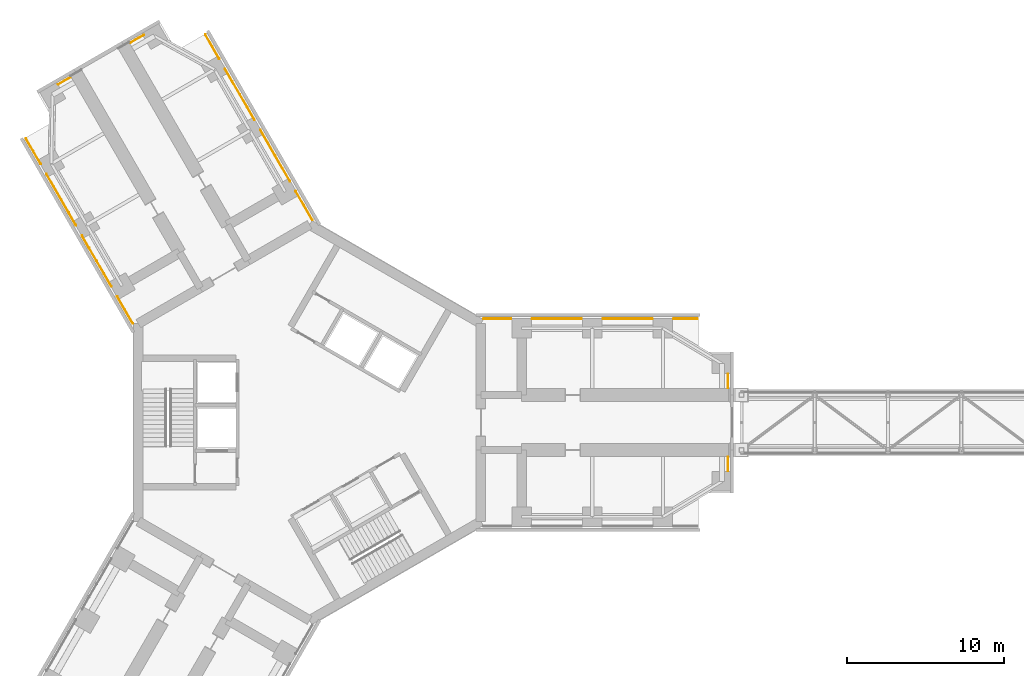
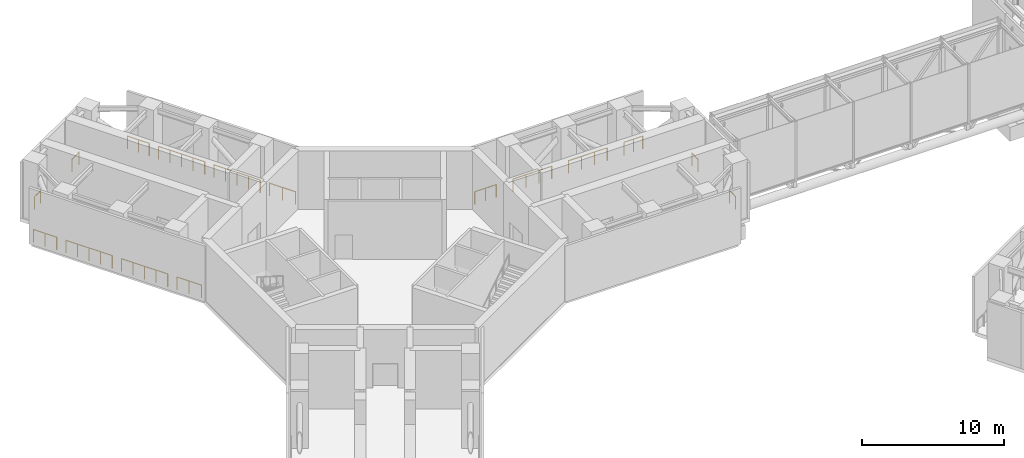
# One storey, part 14 of 15: 16 railings.
"""IFC4 building model written with IfcOpenShell, lengths in metres."""

from ifc_helpers import new_model, si_unit, direction, frame, origin, origin_2d, place, context, subcontext, project, spatial, circle, extrude, material, type_object, element, save


model = new_model("IFC4")

# Units and contexts
model_context = context("Model", 3, precision=1e-05, world=origin(), true_north=direction((0.0, 1.0)))
body_context = subcontext(model_context, "Body", "Model", "MODEL_VIEW")
ifc_project = project(units=[si_unit("LENGTHUNIT", "METRE"), si_unit("AREAUNIT", "SQUARE_METRE"), si_unit("VOLUMEUNIT", "CUBIC_METRE"), si_unit("PLANEANGLEUNIT", "RADIAN"), si_unit("MASSUNIT", "GRAM", prefix="KILO")], contexts=[model_context])

# Site, building, storey
site_placement = place(None, origin())
site = spatial("IfcSite", under=ifc_project, at=site_placement, CompositionType="ELEMENT")
building_placement = place(site_placement, origin())
building = spatial("IfcBuilding", under=site, at=building_placement, Name="Upepo Twin Towers", CompositionType="ELEMENT")
storey_placement = place(building_placement, frame((0.0, 0.0, 165.5)))
storey = spatial("IfcBuildingStorey", under=building, at=storey_placement, Name="L40", CompositionType="ELEMENT", Elevation=165.5)

# Railings
ifc_material = material(Name="Stainless steel and glass", Category="steel")
railing_type = type_object("IfcRailingType", Name="Guard 1100", PredefinedType="GUARDRAIL", material=ifc_material)
railing_1_placement = place(storey_placement, frame((11.085205078125, 6.60009765625, 0.0)))
element("IfcRailing", 1, at=railing_1_placement, inside=storey, type_object=railing_type, Name="T1 L40 open floor guard", PredefinedType="GUARDRAIL", context=body_context, shape_type="SweptSolid", body=[
    extrude(circle(Radius=0.02392578125, at=origin_2d()), frame((0.0, 0.0, 1.076171875), z_axis=(1.0, 0.0, 0.0), x_axis=(0.0, 1.0, 0.0)), (0.0, 0.0, 1.0), 1.73974609375),
    extrude(circle(Radius=0.02099609375, at=origin_2d()), origin(), (0.0, 0.0, 1.0), 1.052001953125),
    extrude(circle(Radius=0.02099609375, at=origin_2d()), frame((0.869873046875, 0.0, 0.0)), (0.0, 0.0, 1.0), 1.052001953125),
    extrude(circle(Radius=0.02099609375, at=origin_2d()), frame((1.73974609375, 0.0, 0.0)), (0.0, 0.0, 1.0), 1.052001953125),
])
for number, where, name in (
    (2, (14.175048828125, 6.60009765625, 0.0), "T1 L40 open floor guard"),
    (3, (18.675048828125, 6.60009765625, 0.0), "T1 L40 open floor guard"),
):
    element("IfcRailing", number, at=place(storey_placement, frame(where)), inside=storey, type_object=railing_type, Name=name, PredefinedType="GUARDRAIL", context=body_context, shape_type="SweptSolid", body=[
        extrude(circle(Radius=0.02392578125, at=origin_2d()), frame((0.0, 0.0, 1.076171875), z_axis=(1.0, 0.0, 0.0), x_axis=(0.0, 1.0, 0.0)), (0.0, 0.0, 1.0), 3.14990234375),
        extrude(circle(Radius=0.02099609375, at=origin_2d()), origin(), (0.0, 0.0, 1.0), 1.052001953125),
        extrude(circle(Radius=0.02099609375, at=origin_2d()), frame((1.050048828125, 0.0, 0.0)), (0.0, 0.0, 1.0), 1.052001953125),
        extrude(circle(Radius=0.02099609375, at=origin_2d()), frame((2.099853515625, 0.0, 0.0)), (0.0, 0.0, 1.0), 1.052001953125),
        extrude(circle(Radius=0.02099609375, at=origin_2d()), frame((3.14990234375, 0.0, 0.0)), (0.0, 0.0, 1.0), 1.052001953125),
    ])
railing_2_placement = place(storey_placement, frame((23.175048828125, 6.60009765625, 0.0)))
element("IfcRailing", 4, at=railing_2_placement, inside=storey, type_object=railing_type, Name="T1 L40 open floor guard", PredefinedType="GUARDRAIL", context=body_context, shape_type="SweptSolid", body=[
    extrude(circle(Radius=0.02392578125, at=origin_2d()), frame((0.0, 0.0, 1.076171875), z_axis=(1.0, 0.0, 0.0), x_axis=(0.0, 1.0, 0.0)), (0.0, 0.0, 1.0), 1.52490234375),
    extrude(circle(Radius=0.02099609375, at=origin_2d()), origin(), (0.0, 0.0, 1.0), 1.052001953125),
    extrude(circle(Radius=0.02099609375, at=origin_2d()), frame((0.762451171875, 0.0, 0.0)), (0.0, 0.0, 1.0), 1.052001953125),
    extrude(circle(Radius=0.02099609375, at=origin_2d()), frame((1.52490234375, 0.0, 0.0)), (0.0, 0.0, 1.0), 1.052001953125),
])
for number, where, name in (
    (5, (26.64990234375, -3.074951171875, 0.0), "T1 L40 open floor guard"),
    (6, (26.64990234375, 2.199951171875, 0.0), "T1 L40 open floor guard"),
):
    element("IfcRailing", number, at=place(storey_placement, frame(where)), inside=storey, type_object=railing_type, Name=name, PredefinedType="GUARDRAIL", context=body_context, shape_type="SweptSolid", body=[
        extrude(circle(Radius=0.02392578125, at=origin_2d()), frame((0.0, 0.0, 1.076171875), z_axis=(0.0, 1.0, 0.0), x_axis=(-1.0, 0.0, 0.0)), (0.0, 0.0, 1.0), 0.875),
        extrude(circle(Radius=0.02099609375, at=origin_2d()), origin(), (0.0, 0.0, 1.0), 1.052001953125),
        extrude(circle(Radius=0.02099609375, at=origin_2d()), frame((0.0, 0.875, 0.0)), (0.0, 0.0, 1.0), 1.052001953125),
    ])
railing_3_placement = place(storey_placement, frame((-17.12109375, 16.45458984375, 0.0)))
element("IfcRailing", 7, at=railing_3_placement, inside=storey, type_object=railing_type, Name="T1 L40 open floor guard", PredefinedType="GUARDRAIL", context=body_context, shape_type="SweptSolid", body=[
    extrude(circle(Radius=0.02392578125, at=origin_2d()), frame((0.0, 0.0, 1.076171875), z_axis=(-0.499961087031, 0.866047869032, 0.0), x_axis=(-0.866047869032, -0.499961087031, 0.0)), (0.0, 0.0, 1.0), 1.889404296875),
    extrude(circle(Radius=0.02099609375, at=origin_2d()), origin(), (0.0, 0.0, 1.0), 1.052001953125),
    extrude(circle(Radius=0.02099609375, at=origin_2d()), frame((-0.47216796875, 0.818115234375, 0.0)), (0.0, 0.0, 1.0), 1.052001953125),
    extrude(circle(Radius=0.02099609375, at=origin_2d()), frame((-0.944580078125, 1.63623046875, 0.0)), (0.0, 0.0, 1.0), 1.052001953125),
])
railing_4_placement = place(storey_placement, frame((-14.87109375, 12.5576171875, 0.0)))
element("IfcRailing", 8, at=railing_4_placement, inside=storey, type_object=railing_type, Name="T1 L40 open floor guard", PredefinedType="GUARDRAIL", context=body_context, shape_type="SweptSolid", body=[
    extrude(circle(Radius=0.02392578125, at=origin_2d()), frame((0.0, 0.0, 1.076171875), z_axis=(-0.500018768297, 0.866014567632, 0.0), x_axis=(-0.866014567632, -0.500018768297, 0.0)), (0.0, 0.0, 1.0), 3.756103515625),
    extrude(circle(Radius=0.02099609375, at=origin_2d()), origin(), (0.0, 0.0, 1.0), 1.052001953125),
    extrude(circle(Radius=0.02099609375, at=origin_2d()), frame((-0.469482421875, 0.813232421875, 0.0)), (0.0, 0.0, 1.0), 1.052001953125),
    extrude(circle(Radius=0.02099609375, at=origin_2d()), frame((-0.93896484375, 1.62646484375, 0.0)), (0.0, 0.0, 1.0), 1.052001953125),
    extrude(circle(Radius=0.02099609375, at=origin_2d()), frame((-1.40869140625, 2.439697265625, 0.0)), (0.0, 0.0, 1.0), 1.052001953125),
    extrude(circle(Radius=0.02099609375, at=origin_2d()), frame((-1.878173828125, 3.2529296875, 0.0)), (0.0, 0.0, 1.0), 1.052001953125),
])
railing_5_placement = place(storey_placement, frame((-12.62109375, 8.660400390625, 0.0)))
element("IfcRailing", 9, at=railing_5_placement, inside=storey, type_object=railing_type, Name="T1 L40 open floor guard", PredefinedType="GUARDRAIL", context=body_context, shape_type="SweptSolid", body=[
    extrude(circle(Radius=0.02392578125, at=origin_2d()), frame((0.0, 0.0, 1.076171875), z_axis=(-0.499990624564, 0.866030816627, 0.0), x_axis=(-0.866030816627, -0.499990624564, 0.0)), (0.0, 0.0, 1.0), 3.75634765625),
    extrude(circle(Radius=0.02099609375, at=origin_2d()), origin(), (0.0, 0.0, 1.0), 1.052001953125),
    extrude(circle(Radius=0.02099609375, at=origin_2d()), frame((-0.469482421875, 0.813232421875, 0.0)), (0.0, 0.0, 1.0), 1.052001953125),
    extrude(circle(Radius=0.02099609375, at=origin_2d()), frame((-0.93896484375, 1.62646484375, 0.0)), (0.0, 0.0, 1.0), 1.052001953125),
    extrude(circle(Radius=0.02099609375, at=origin_2d()), frame((-1.40869140625, 2.43994140625, 0.0)), (0.0, 0.0, 1.0), 1.052001953125),
    extrude(circle(Radius=0.02099609375, at=origin_2d()), frame((-1.878173828125, 3.253173828125, 0.0)), (0.0, 0.0, 1.0), 1.052001953125),
])
railing_6_placement = place(storey_placement, frame((-11.25830078125, 6.300048828125, 0.0)))
element("IfcRailing", 10, at=railing_6_placement, inside=storey, type_object=railing_type, Name="T1 L40 open floor guard", PredefinedType="GUARDRAIL", context=body_context, shape_type="SweptSolid", body=[
    extrude(circle(Radius=0.02392578125, at=origin_2d()), frame((0.0, 0.0, 1.076171875), z_axis=(-0.500021028785, 0.866013262469, 0.0), x_axis=(-0.866013262469, -0.500021028785, 0.0)), (0.0, 0.0, 1.0), 1.98193359375),
    extrude(circle(Radius=0.02099609375, at=origin_2d()), origin(), (0.0, 0.0, 1.0), 1.052001953125),
    extrude(circle(Radius=0.02099609375, at=origin_2d()), frame((-0.49560546875, 0.858154296875, 0.0)), (0.0, 0.0, 1.0), 1.052001953125),
    extrude(circle(Radius=0.02099609375, at=origin_2d()), frame((-0.990966796875, 1.71630859375, 0.0)), (0.0, 0.0, 1.0), 1.052001953125),
])
railing_7_placement = place(storey_placement, frame((-6.63427734375, 24.69091796875, 0.0)))
element("IfcRailing", 11, at=railing_7_placement, inside=storey, type_object=railing_type, Name="T1 L40 open floor guard", PredefinedType="GUARDRAIL", context=body_context, shape_type="SweptSolid", body=[
    extrude(circle(Radius=0.02392578125, at=origin_2d()), frame((0.0, 0.0, 1.076171875), z_axis=(0.50001746176, -0.866015321998, 0.0), x_axis=(0.866015321998, 0.50001746176, 0.0)), (0.0, 0.0, 1.0), 1.76708984375),
    extrude(circle(Radius=0.02099609375, at=origin_2d()), origin(), (0.0, 0.0, 1.0), 1.052001953125),
    extrude(circle(Radius=0.02099609375, at=origin_2d()), frame((0.44189453125, -0.76513671875, 0.0)), (0.0, 0.0, 1.0), 1.052001953125),
    extrude(circle(Radius=0.02099609375, at=origin_2d()), frame((0.883544921875, -1.5302734375, 0.0)), (0.0, 0.0, 1.0), 1.052001953125),
])
for number, where, name in (
    (12, (-5.37890625, 22.516357421875, 0.0), "T1 L40 open floor guard"),
    (13, (-3.12890625, 18.619384765625, 0.0), "T1 L40 open floor guard"),
):
    element("IfcRailing", number, at=place(storey_placement, frame(where)), inside=storey, type_object=railing_type, Name=name, PredefinedType="GUARDRAIL", context=body_context, shape_type="SweptSolid", body=[
        extrude(circle(Radius=0.02392578125, at=origin_2d()), frame((0.0, 0.0, 1.076171875), z_axis=(0.500018768297, -0.866014567632, 0.0), x_axis=(0.866014567632, 0.500018768297, 0.0)), (0.0, 0.0, 1.0), 3.756103515625),
        extrude(circle(Radius=0.02099609375, at=origin_2d()), origin(), (0.0, 0.0, 1.0), 1.052001953125),
        extrude(circle(Radius=0.02099609375, at=origin_2d()), frame((0.469482421875, -0.813232421875, 0.0)), (0.0, 0.0, 1.0), 1.052001953125),
        extrude(circle(Radius=0.02099609375, at=origin_2d()), frame((0.93896484375, -1.62646484375, 0.0)), (0.0, 0.0, 1.0), 1.052001953125),
        extrude(circle(Radius=0.02099609375, at=origin_2d()), frame((1.40869140625, -2.439697265625, 0.0)), (0.0, 0.0, 1.0), 1.052001953125),
        extrude(circle(Radius=0.02099609375, at=origin_2d()), frame((1.878173828125, -3.2529296875, 0.0)), (0.0, 0.0, 1.0), 1.052001953125),
    ])
railing_8_placement = place(storey_placement, frame((-0.87890625, 14.72216796875, 0.0)))
element("IfcRailing", 14, at=railing_8_placement, inside=storey, type_object=railing_type, Name="T1 L40 open floor guard", PredefinedType="GUARDRAIL", context=body_context, shape_type="SweptSolid", body=[
    extrude(circle(Radius=0.02392578125, at=origin_2d()), frame((0.0, 0.0, 1.076171875), z_axis=(0.49997020258, -0.86604260665, 0.0), x_axis=(0.86604260665, 0.49997020258, 0.0)), (0.0, 0.0, 1.0), 2.104248046875),
    extrude(circle(Radius=0.02099609375, at=origin_2d()), origin(), (0.0, 0.0, 1.0), 1.052001953125),
    extrude(circle(Radius=0.02099609375, at=origin_2d()), frame((0.52587890625, -0.9111328125, 0.0)), (0.0, 0.0, 1.0), 1.052001953125),
    extrude(circle(Radius=0.02099609375, at=origin_2d()), frame((1.052001953125, -1.822265625, 0.0)), (0.0, 0.0, 1.0), 1.052001953125),
])
railing_9_placement = place(storey_placement, frame((-10.552490234375, 24.680419921875, 0.0)))
element("IfcRailing", 15, at=railing_9_placement, inside=storey, type_object=railing_type, Name="T1 L40 open floor guard", PredefinedType="GUARDRAIL", context=body_context, shape_type="SweptSolid", body=[
    extrude(circle(Radius=0.02392578125, at=origin_2d()), frame((0.0, 0.0, 1.076171875), z_axis=(-0.865998815133, -0.500046050067, 0.0), x_axis=(0.500046050067, -0.865998815133, 0.0)), (0.0, 0.0, 1.0), 1.00146484375),
    extrude(circle(Radius=0.02099609375, at=origin_2d()), origin(), (0.0, 0.0, 1.0), 1.052001953125),
    extrude(circle(Radius=0.02099609375, at=origin_2d()), frame((-0.8671875, -0.500732421875, 0.0)), (0.0, 0.0, 1.0), 1.052001953125),
])
railing_10_placement = place(storey_placement, frame((-15.230224609375, 21.9794921875, 0.0)))
element("IfcRailing", 16, at=railing_10_placement, inside=storey, type_object=railing_type, Name="T1 L40 open floor guard", PredefinedType="GUARDRAIL", context=body_context, shape_type="SweptSolid", body=[
    extrude(circle(Radius=0.02392578125, at=origin_2d()), frame((0.0, 0.0, 1.076171875), z_axis=(-0.866080853049, -0.499903946755, 0.0), x_axis=(0.499903946755, -0.866080853049, 0.0)), (0.0, 0.0, 1.0), 0.892822265625),
    extrude(circle(Radius=0.02099609375, at=origin_2d()), origin(), (0.0, 0.0, 1.0), 1.052001953125),
    extrude(circle(Radius=0.02099609375, at=origin_2d()), frame((-0.773193359375, -0.4462890625, 0.0)), (0.0, 0.0, 1.0), 1.052001953125),
])

save(model, "model.ifc")
